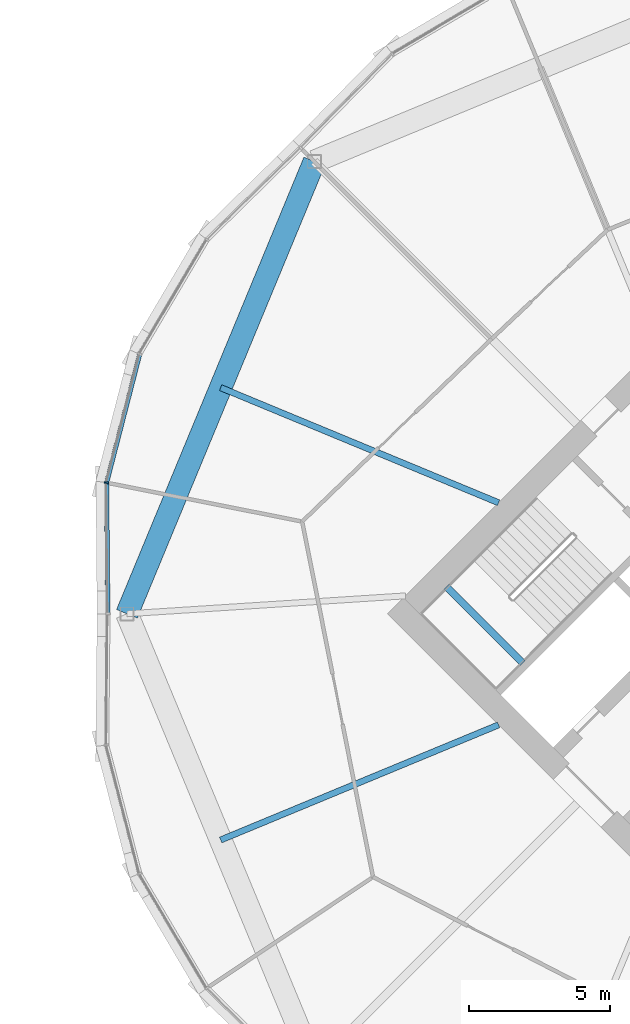
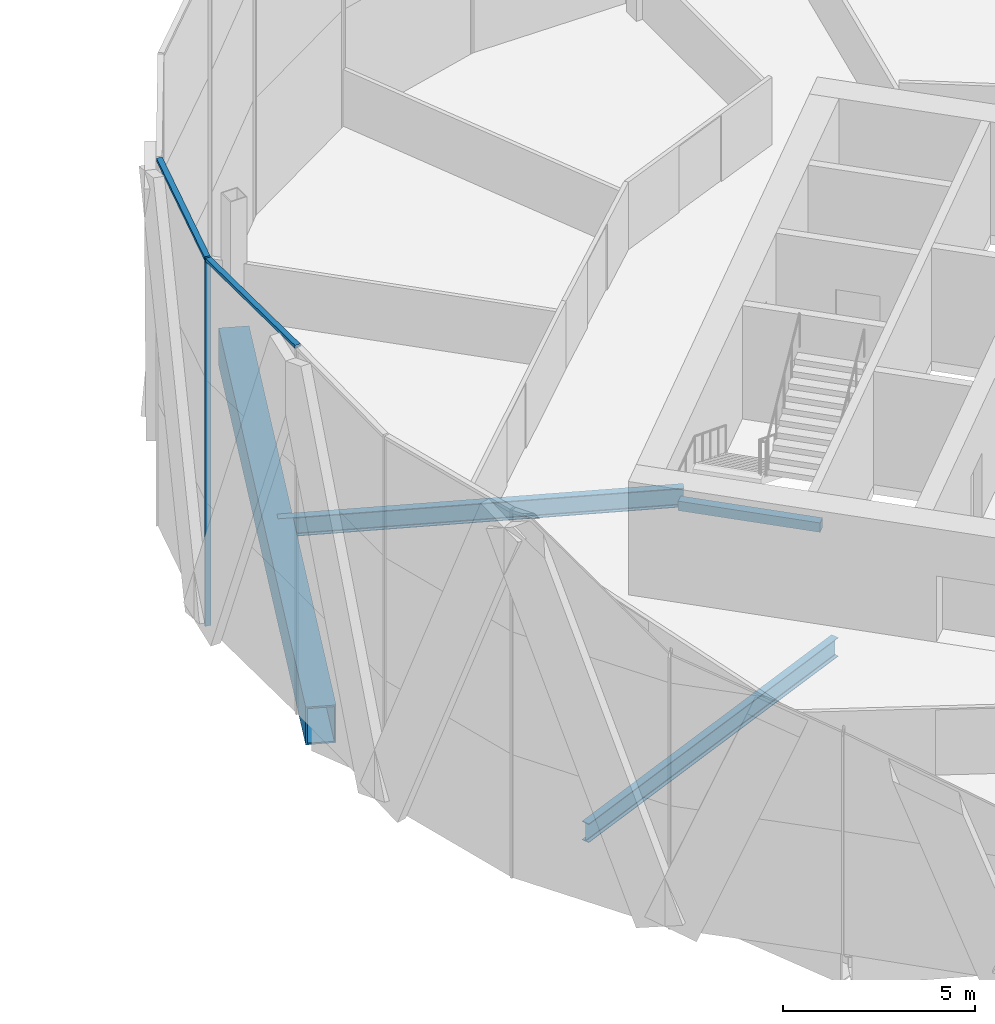
# One storey, part 11 of 26: 4 beams, 3 members, 1 element without a shape of its own.
"""IFC4 building model written with IfcOpenShell, lengths in metres."""

from ifc_helpers import new_model, si_unit, direction, frame, origin, origin_2d, place, context, subcontext, project, spatial, rectangle, hollow_rectangle, i_section, extrude, material, material_profile, profile_set, type_object, element, aggregate, save


model = new_model("IFC4")

# Units and contexts
model_context = context("Model", 3, precision=1e-05, world=origin(), true_north=direction((0.0, 1.0)))
body_context = subcontext(model_context, "Body", "Model", "MODEL_VIEW")
ifc_project = project(units=[si_unit("LENGTHUNIT", "METRE"), si_unit("AREAUNIT", "SQUARE_METRE"), si_unit("VOLUMEUNIT", "CUBIC_METRE"), si_unit("PLANEANGLEUNIT", "RADIAN"), si_unit("MASSUNIT", "GRAM", prefix="KILO")], contexts=[model_context])

# Site, building, storey
site_placement = place(None, origin())
site = spatial("IfcSite", under=ifc_project, at=site_placement, CompositionType="ELEMENT")
building_placement = place(site_placement, origin())
building = spatial("IfcBuilding", under=site, at=building_placement, Name="Ogive Gate Towers", CompositionType="ELEMENT")
storey_placement = place(building_placement, frame((0.0, 0.0, 87.89990234375)))
storey = spatial("IfcBuildingStorey", under=building, at=storey_placement, Name="L20", CompositionType="ELEMENT", Elevation=87.89990234375)

# Beams
ifc_material_1 = material(Name="Steel SM460", Category="steel")
ifc_material_profile_1 = material_profile(ifc_material_1, hollow_rectangle(XDim=0.800048828125, YDim=1.199951171875, WallThickness=0.050048828125, at=origin_2d()), Name="BX 1200x800x50")
ifc_profile_set_1 = profile_set([ifc_material_profile_1], Name="Steel SM460")
beam_type_1 = type_object("IfcBeamType", Name="Edge girder BX 1200x800x50", PredefinedType="BEAM", material=ifc_profile_set_1)
beam_1_placement = place(storey_placement, frame((19.969970703125, 16.030029296875, -0.89990234375), z_axis=(-0.382685254414, -0.923878777792, 0.0), x_axis=(0.923878777792, -0.382685254414, 0.0)))
element("IfcBeam", 1, at=beam_1_placement, inside=storey, type_object=beam_type_1, Name="T2/L20/SBM023", PredefinedType="BEAM", context=body_context, shape_type="SweptSolid", body=[
    extrude(hollow_rectangle(XDim=0.800048828125, YDim=1.199951171875, WallThickness=0.050048828125, at=origin_2d()), origin(), (0.0, 0.0, 1.0), 17.350830078125),
])
ifc_material_2 = material(Name="Concrete C40/50", Category="concrete")
ifc_material_profile_2 = material_profile(ifc_material_2, rectangle(XDim=0.25, YDim=0.300048828125, at=origin_2d()), Name="RC 250x300")
ifc_profile_set_2 = profile_set([ifc_material_profile_2], Name="Concrete C40/50")
beam_type_2 = type_object("IfcBeamType", Name="Landing bearer RC 250x300", PredefinedType="BEAM", material=ifc_profile_set_2)
beam_2_placement = place(storey_placement, frame((24.650390625, 0.9541015625, 1.60009765625), z_axis=(0.707106781187, -0.707106781187, 0.0), x_axis=(0.707106781187, 0.707106781187, 0.0)))
element("IfcBeam", 2, at=beam_2_placement, inside=storey, type_object=beam_type_2, Name="T2 L20 stair 1 landing bearer 1", PredefinedType="BEAM", context=body_context, shape_type="SweptSolid", body=[
    extrude(rectangle(XDim=0.25, YDim=0.300048828125, at=origin_2d()), origin(), (0.0, 0.0, 1.0), 3.824951171875),
])
ifc_material_3 = material(Name="Steel SM355", Category="steel")
ifc_material_profile_3 = material_profile(ifc_material_3, i_section(OverallWidth=0.219970703125, OverallDepth=0.60009765625, WebThickness=0.011962890625, FlangeThickness=0.01904296875, FilletRadius=0.02392578125, at=origin_2d()), Name="IPE 600")
ifc_profile_set_3 = profile_set([ifc_material_profile_3], Name="Steel SM355")
beam_type_3 = type_object("IfcBeamType", Name="Radial floor beam IPE 600", PredefinedType="BEAM", material=ifc_profile_set_3)
for number, where, z_axis, x_axis, name in (
    (3, (26.5, 3.93505859375, -0.599853515625), (-0.923878402208, 0.382686161148, 0.0), (-0.382686161148, -0.923878402208, 0.0), "T2/L20/SBM014"),
    (4, (26.5, -3.93505859375, -0.599853515625), (-0.923878402208, -0.382686161148, 0.0), (0.382686161148, -0.923878402208, 0.0), "T2/L20/SBM016"),
):
    element("IfcBeam", number, at=place(storey_placement, frame(where, z_axis=z_axis, x_axis=x_axis)), inside=storey, type_object=beam_type_3, Name=name, PredefinedType="BEAM", context=body_context, shape_type="SweptSolid", body=[
        extrude(i_section(OverallWidth=0.219970703125, OverallDepth=0.60009765625, WebThickness=0.011962890625, FlangeThickness=0.01904296875, FilletRadius=0.02392578125, at=origin_2d()), origin(), (0.0, 0.0, 1.0), 10.66162109375),
    ])

# Curtain wall, members
ifc_material_4 = material(Name="Pale metal aluminium", Category="aluminium")
curtain_wall_type = type_object("IfcCurtainWallType", Name="Tower unitised wall, low zone", PredefinedType="NOTDEFINED", material=ifc_material_4)
curtain_wall_placement = place(storey_placement, origin())
curtain_wall = element("IfcCurtainWall", 5, at=curtain_wall_placement, inside=storey, type_object=curtain_wall_type, Name="CW1 T2 ECW04", PredefinedType="NOTDEFINED")
ifc_material_profile_4 = material_profile(ifc_material_4, rectangle(XDim=0.159912109375, YDim=0.06005859375, at=origin_2d()), Name="60 x 160 aluminium box")
ifc_profile_set_4 = profile_set([ifc_material_profile_4], Name="Pale metal aluminium")
member_type_1 = type_object("IfcMemberType", Name="Tower unitised wall, low zone mullion 60 x 160", PredefinedType="MULLION", material=ifc_profile_set_4)
member_1_placement = place(storey_placement, frame((12.6064453125, 4.647216796875, -0.2998046875), z_axis=(0.0, 0.0, 1.0), x_axis=(-0.992647900348, 0.121037787217, 0.0)))
member_1 = element("IfcMember", 6, at=member_1_placement, type_object=member_type_1, Name="CW1 mullion", PredefinedType="MULLION", context=body_context, shape_type="SweptSolid", body=[
    extrude(rectangle(XDim=0.159912109375, YDim=0.06005859375, at=origin_2d()), origin(), (0.0, 0.0, 1.0), 11.699951171875),
])
ifc_material_profile_5 = material_profile(ifc_material_4, rectangle(XDim=0.159912109375, YDim=0.10009765625, at=origin_2d()), Name="100 x 160 aluminium box")
ifc_profile_set_5 = profile_set([ifc_material_profile_5], Name="Pale metal aluminium")
member_type_2 = type_object("IfcMemberType", Name="Tower unitised wall, low zone transom 100 x 160", PredefinedType="USERDEFINED", material=ifc_profile_set_5)
member_2_placement = place(storey_placement, frame((13.773193359375, 9.177490234375, 11.35009765625), z_axis=(-0.249396942248, -0.968401345103, 0.0), x_axis=(0.968401345103, -0.249396942248, 0.0)))
member_2 = element("IfcMember", 7, at=member_2_placement, type_object=member_type_2, Name="CW1 transom", ObjectType="TRANSOM", PredefinedType="USERDEFINED", context=body_context, shape_type="SweptSolid", body=[
    extrude(rectangle(XDim=0.159912109375, YDim=0.10009765625, at=origin_2d()), origin(), (0.0, 0.0, 1.0), 4.65087890625),
])
member_3_placement = place(storey_placement, frame((12.60693359375, 4.61962890625, 11.35009765625), z_axis=(0.009309097625, -0.999956669412, 0.0), x_axis=(0.999956669412, 0.009309097625, 0.0)))
member_3 = element("IfcMember", 8, at=member_3_placement, type_object=member_type_2, Name="CW1 transom", ObjectType="TRANSOM", PredefinedType="USERDEFINED", context=body_context, shape_type="SweptSolid", body=[
    extrude(rectangle(XDim=0.159912109375, YDim=0.10009765625, at=origin_2d()), origin(), (0.0, 0.0, 1.0), 4.589599609375),
])
aggregate(curtain_wall, [member_1, member_2, member_3])

save(model, "model.ifc")
